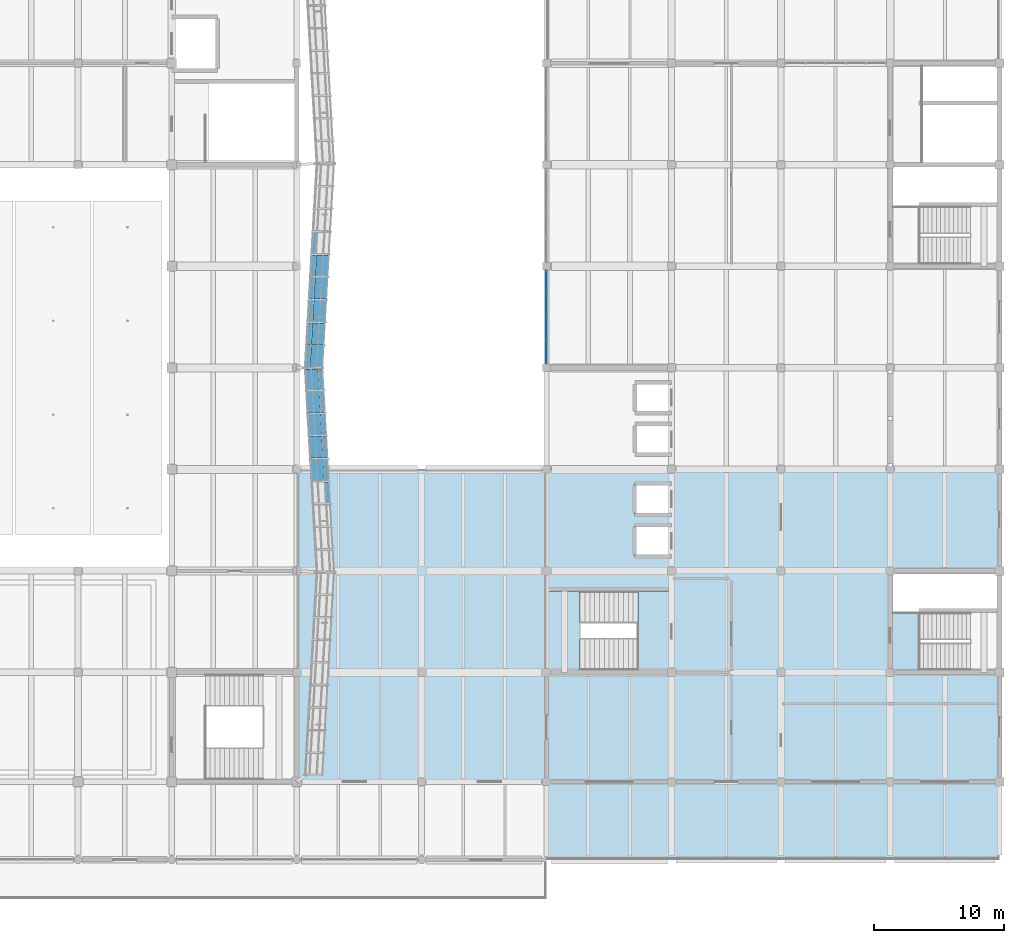
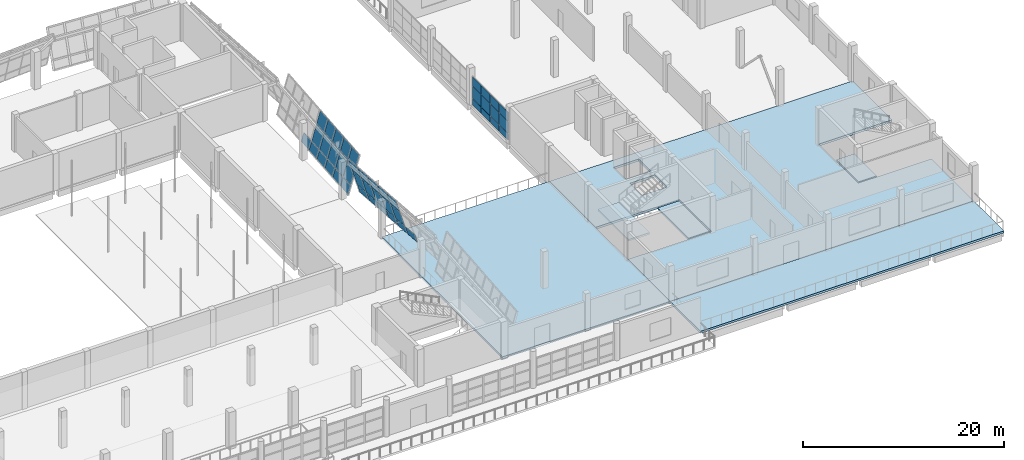
# One storey, part 42 of 71: 44 plates, 6 slabs, 5 elements without a shape of their own.
"""IFC4 building model written with IfcOpenShell, lengths in metres."""

from ifc_helpers import new_model, si_unit, direction, frame, origin, place, context, subcontext, project, spatial, polyline, outline, extrude, material, layer, layer_set, type_object, element, aggregate, save


model = new_model("IFC4")

# Units and contexts
model_context = context("Model", 3, precision=1e-05, world=origin(), true_north=direction((0.0, 1.0)))
body_context = subcontext(model_context, "Body", "Model", "MODEL_VIEW")
ifc_project = project(units=[si_unit("LENGTHUNIT", "METRE"), si_unit("AREAUNIT", "SQUARE_METRE"), si_unit("VOLUMEUNIT", "CUBIC_METRE"), si_unit("PLANEANGLEUNIT", "RADIAN"), si_unit("MASSUNIT", "GRAM", prefix="KILO")], contexts=[model_context])

# Site, building, storey
site_placement = place(None, origin())
site = spatial("IfcSite", under=ifc_project, at=site_placement, CompositionType="ELEMENT")
building_placement = place(site_placement, origin())
building = spatial("IfcBuilding", under=site, at=building_placement, Name="Pellamere Symphony Hall", CompositionType="ELEMENT")
storey_placement = place(building_placement, frame((0.0, 0.0, 15.0)))
storey = spatial("IfcBuildingStorey", under=building, at=storey_placement, Name="L03", CompositionType="ELEMENT", Elevation=15.0)

# Curtain wall, plates
ifc_material_1 = material(Name="Thermally Broken Anodised Aluminium 6063-T6 Curtain Wall", Category="aluminium")
curtain_wall_type_1 = type_object("IfcCurtainWallType", Name="Curtain Wall CW-05 (Artists Wing North Studio Ribbon Curtain Wall)", PredefinedType="NOTDEFINED", material=ifc_material_1)
curtain_wall_1_placement = place(storey_placement, origin())
curtain_wall_1 = element("IfcCurtainWall", 1, at=curtain_wall_1_placement, inside=storey, type_object=curtain_wall_type_1, Name="Sculpture Court East Wing Curtain Wall (L03 Bay 1)", PredefinedType="NOTDEFINED")
ifc_material_2 = material(Name="Triple Low-E Argon Acoustic Glazing 36mm", Category="glass")
ifc_layer_1 = layer(ifc_material_2, 0.035888671875, Name="Triple Low-E Argon Acoustic Glazing 36mm")
ifc_layer_set_1 = layer_set([ifc_layer_1], Name="Triple Low-E Argon Acoustic Glazing 36mm")
plate_type_1 = type_object("IfcPlateType", Name="Facade Panel GL-01 36mm", PredefinedType="CURTAIN_PANEL", material=ifc_layer_set_1)
plate_1_placement = place(storey_placement, frame((138.0, 62.159912109375, 0.06005859375), z_axis=(1.0, 0.0, 0.0), x_axis=(0.0, 1.0, 0.0)))
plate_1 = element("IfcPlate", 2, at=plate_1_placement, type_object=plate_type_1, Name="CW5-142 crystal glass panel 1.1", PredefinedType="CURTAIN_PANEL", context=body_context, shape_type="SweptSolid", body=[
    extrude(outline(polyline([(0.0, 0.0), (1.710205078125, 0.0), (1.710205078125, 0.754638671875), (0.0, 0.754638671875), (0.0, 0.0)])), origin(), (0.0, 0.0, -1.0), 0.035888671875),
])
plate_2_placement = place(storey_placement, frame((138.0, 62.159912109375, 0.874755859375), z_axis=(1.0, 0.0, 0.0), x_axis=(0.0, 1.0, 0.0)))
plate_2 = element("IfcPlate", 3, at=plate_2_placement, type_object=plate_type_1, Name="CW5-142 crystal glass panel 1.2", PredefinedType="CURTAIN_PANEL", context=body_context, shape_type="SweptSolid", body=[
    extrude(outline(polyline([(0.0, 0.0), (1.710205078125, 0.0), (1.710205078125, 1.41845703125), (0.0, 1.41845703125), (0.0, 0.0)])), origin(), (0.0, 0.0, -1.0), 0.035888671875),
])
plate_3_placement = place(storey_placement, frame((138.0, 62.159912109375, 2.353271484375), z_axis=(1.0, 0.0, 0.0), x_axis=(0.0, 1.0, 0.0)))
plate_3 = element("IfcPlate", 4, at=plate_3_placement, type_object=plate_type_1, Name="CW5-142 crystal glass panel 1.3", PredefinedType="CURTAIN_PANEL", context=body_context, shape_type="SweptSolid", body=[
    extrude(outline(polyline([(0.0, 0.0), (1.710205078125, 0.0), (1.710205078125, 1.106689453125), (0.0, 1.106689453125), (0.0, 0.0)])), origin(), (0.0, 0.0, -1.0), 0.035888671875),
])
plate_4_placement = place(storey_placement, frame((138.0, 63.929931640625, 0.06005859375), z_axis=(1.0, 0.0, 0.0), x_axis=(0.0, 1.0, 0.0)))
plate_4 = element("IfcPlate", 5, at=plate_4_placement, type_object=plate_type_1, Name="CW5-142 crystal glass panel 2.1", PredefinedType="CURTAIN_PANEL", context=body_context, shape_type="SweptSolid", body=[
    extrude(outline(polyline([(0.0, 0.0), (1.739990234375, 0.0), (1.739990234375, 0.754638671875), (0.0, 0.754638671875), (0.0, 0.0)])), origin(), (0.0, 0.0, -1.0), 0.035888671875),
])
plate_5_placement = place(storey_placement, frame((138.0, 63.929931640625, 0.874755859375), z_axis=(1.0, 0.0, 0.0), x_axis=(0.0, 1.0, 0.0)))
plate_5 = element("IfcPlate", 6, at=plate_5_placement, type_object=plate_type_1, Name="CW5-142 crystal glass panel 2.2", PredefinedType="CURTAIN_PANEL", context=body_context, shape_type="SweptSolid", body=[
    extrude(outline(polyline([(0.0, 0.0), (1.739990234375, 0.0), (1.739990234375, 1.41845703125), (0.0, 1.41845703125), (0.0, 0.0)])), origin(), (0.0, 0.0, -1.0), 0.035888671875),
])
plate_6_placement = place(storey_placement, frame((138.0, 63.929931640625, 2.353271484375), z_axis=(1.0, 0.0, 0.0), x_axis=(0.0, 1.0, 0.0)))
plate_6 = element("IfcPlate", 7, at=plate_6_placement, type_object=plate_type_1, Name="CW5-142 crystal glass panel 2.3", PredefinedType="CURTAIN_PANEL", context=body_context, shape_type="SweptSolid", body=[
    extrude(outline(polyline([(0.0, 0.0), (1.739990234375, 0.0), (1.739990234375, 1.106689453125), (0.0, 1.106689453125), (0.0, 0.0)])), origin(), (0.0, 0.0, -1.0), 0.035888671875),
])
plate_7_placement = place(storey_placement, frame((138.0, 65.72998046875, 0.06005859375), z_axis=(1.0, 0.0, 0.0), x_axis=(0.0, 1.0, 0.0)))
plate_7 = element("IfcPlate", 8, at=plate_7_placement, type_object=plate_type_1, Name="CW5-142 crystal glass panel 3.1", PredefinedType="CURTAIN_PANEL", context=body_context, shape_type="SweptSolid", body=[
    extrude(outline(polyline([(0.0, 0.0), (1.739990234375, 0.0), (1.739990234375, 0.754638671875), (0.0, 0.754638671875), (0.0, 0.0)])), origin(), (0.0, 0.0, -1.0), 0.035888671875),
])
plate_8_placement = place(storey_placement, frame((138.0, 65.72998046875, 0.874755859375), z_axis=(1.0, 0.0, 0.0), x_axis=(0.0, 1.0, 0.0)))
plate_8 = element("IfcPlate", 9, at=plate_8_placement, type_object=plate_type_1, Name="CW5-142 crystal glass panel 3.2", PredefinedType="CURTAIN_PANEL", context=body_context, shape_type="SweptSolid", body=[
    extrude(outline(polyline([(0.0, 0.0), (1.739990234375, 0.0), (1.739990234375, 1.41845703125), (0.0, 1.41845703125), (0.0, 0.0)])), origin(), (0.0, 0.0, -1.0), 0.035888671875),
])
plate_9_placement = place(storey_placement, frame((138.0, 65.72998046875, 2.353271484375), z_axis=(1.0, 0.0, 0.0), x_axis=(0.0, 1.0, 0.0)))
plate_9 = element("IfcPlate", 10, at=plate_9_placement, type_object=plate_type_1, Name="CW5-142 crystal glass panel 3.3", PredefinedType="CURTAIN_PANEL", context=body_context, shape_type="SweptSolid", body=[
    extrude(outline(polyline([(0.0, 0.0), (1.739990234375, 0.0), (1.739990234375, 1.106689453125), (0.0, 1.106689453125), (0.0, 0.0)])), origin(), (0.0, 0.0, -1.0), 0.035888671875),
])
plate_10_placement = place(storey_placement, frame((138.0, 67.530029296875, 0.06005859375), z_axis=(1.0, 0.0, 0.0), x_axis=(0.0, 1.0, 0.0)))
plate_10 = element("IfcPlate", 11, at=plate_10_placement, type_object=plate_type_1, Name="CW5-142 crystal glass panel 4.1", PredefinedType="CURTAIN_PANEL", context=body_context, shape_type="SweptSolid", body=[
    extrude(outline(polyline([(0.0, 0.0), (1.7099609375, 0.0), (1.7099609375, 0.754638671875), (0.0, 0.754638671875), (0.0, 0.0)])), origin(), (0.0, 0.0, -1.0), 0.035888671875),
])
plate_11_placement = place(storey_placement, frame((138.0, 67.530029296875, 0.874755859375), z_axis=(1.0, 0.0, 0.0), x_axis=(0.0, 1.0, 0.0)))
plate_11 = element("IfcPlate", 12, at=plate_11_placement, type_object=plate_type_1, Name="CW5-142 crystal glass panel 4.2", PredefinedType="CURTAIN_PANEL", context=body_context, shape_type="SweptSolid", body=[
    extrude(outline(polyline([(0.0, 0.0), (1.7099609375, 0.0), (1.7099609375, 1.41845703125), (0.0, 1.41845703125), (0.0, 0.0)])), origin(), (0.0, 0.0, -1.0), 0.035888671875),
])
plate_12_placement = place(storey_placement, frame((138.0, 67.530029296875, 2.353271484375), z_axis=(1.0, 0.0, 0.0), x_axis=(0.0, 1.0, 0.0)))
plate_12 = element("IfcPlate", 13, at=plate_12_placement, type_object=plate_type_1, Name="CW5-142 crystal glass panel 4.3", PredefinedType="CURTAIN_PANEL", context=body_context, shape_type="SweptSolid", body=[
    extrude(outline(polyline([(0.0, 0.0), (1.7099609375, 0.0), (1.7099609375, 1.106689453125), (0.0, 1.106689453125), (0.0, 0.0)])), origin(), (0.0, 0.0, -1.0), 0.035888671875),
])
aggregate(curtain_wall_1, [plate_1, plate_2, plate_3, plate_4, plate_5, plate_6, plate_7, plate_8, plate_9, plate_10, plate_11, plate_12])

curtain_wall_type_2 = type_object("IfcCurtainWallType", Name="Curtain Wall CW-01 (Tilted Faceted Crystal Low-Iron Curtain Wall)", PredefinedType="NOTDEFINED", material=ifc_material_1)
curtain_wall_2_placement = place(storey_placement, origin())
curtain_wall_2 = element("IfcCurtainWall", 14, at=curtain_wall_2_placement, inside=storey, type_object=curtain_wall_type_2, Name="Crystal Faceted Curtain Wall CW-CR07 (L03)", PredefinedType="NOTDEFINED")
ifc_material_3 = material(Name="Triple Laminated Acoustic Crystal Glazing 42mm", Category="glass")
ifc_layer_2 = layer(ifc_material_3, 0.0419921875, Name="Triple Laminated Acoustic Crystal Glazing 42mm")
ifc_layer_set_2 = layer_set([ifc_layer_2], Name="Triple Laminated Acoustic Crystal Glazing 42mm")
plate_type_2 = type_object("IfcPlateType", Name="Facade Panel GL-02 42mm", PredefinedType="CURTAIN_PANEL", material=ifc_layer_set_2)
plate_13_placement = place(storey_placement, frame((121.359619140625, 51.370849609375, 0.072021484375), z_axis=(0.957324034181, 0.054880231266, 0.283758442686), x_axis=(-0.057232737422, 0.998360863499, 0.0)))
plate_13 = element("IfcPlate", 15, at=plate_13_placement, type_object=plate_type_2, Name="CW1-010 crystal glass panel 4.1", PredefinedType="CURTAIN_PANEL", context=body_context, shape_type="SweptSolid", body=[
    extrude(outline(polyline([(0.0, 0.0), (1.6721745160346768, -6.938893903907228e-18), (1.6886624628505897, 1.013586494914077), (0.01648794681591293, 1.013586494914077), (0.0, 0.0)])), origin(), (0.0, 0.0, -1.0), 0.0419921875),
])
plate_14_placement = place(storey_placement, frame((121.259521484375, 53.115234375, 0.072021484375), z_axis=(0.957389337449, 0.054883974887, 0.283537309433), x_axis=(-0.057232737422, 0.998360863499, 0.0)))
plate_14 = element("IfcPlate", 16, at=plate_14_placement, type_object=plate_type_2, Name="CW1-010 crystal glass panel 5.1", PredefinedType="CURTAIN_PANEL", context=body_context, shape_type="SweptSolid", body=[
    extrude(outline(polyline([(0.0, 0.0), (1.6721745160346768, 3.469446951953614e-18), (1.688648490014305, 1.01351735845357), (0.016473973979628256, 1.01351735845357), (0.0, 0.0)])), origin(), (0.0, 0.0, -1.0), 0.0419921875),
])
plate_15_placement = place(storey_placement, frame((120.9501953125, 53.115234375, 1.115966796875), z_axis=(0.957371163384, 0.054882933028, 0.283598870206), x_axis=(-0.057232737422, 0.998360863499, 0.0)))
plate_15 = element("IfcPlate", 17, at=plate_15_placement, type_object=plate_type_2, Name="CW1-010 crystal glass panel 5.2", PredefinedType="CURTAIN_PANEL", context=body_context, shape_type="SweptSolid", body=[
    extrude(outline(polyline([(0.0, 0.0), (1.6721745160346768, 3.469446951953614e-18), (1.7029985928786633, 1.8959575604045968), (0.030824076843986373, 1.895957560404597), (0.0, 0.0)])), origin(), (0.0, 0.0, -1.0), 0.0419921875),
])
plate_16_placement = place(storey_placement, frame((120.390380859375, 53.115234375, 3.005859375), z_axis=(0.957394380588, 0.054884263994, 0.283520224294), x_axis=(-0.057232737422, 0.998360863499, 0.0)))
plate_16 = element("IfcPlate", 18, at=plate_16_placement, type_object=plate_type_2, Name="CW1-010 crystal glass panel 5.3", PredefinedType="CURTAIN_PANEL", context=body_context, shape_type="SweptSolid", body=[
    extrude(outline(polyline([(0.0, 0.0), (1.6721745160346768, 3.469446951953614e-18), (1.696277658625736, 1.482970990869004), (0.02410314259105915, 1.482970990869004), (0.0, 0.0)])), origin(), (0.0, 0.0, -1.0), 0.0419921875),
])
plate_17_placement = place(storey_placement, frame((121.15966796875, 54.859619140625, 0.072021484375), z_axis=(0.957324455748, 0.054872230831, 0.283758567642), x_axis=(-0.057224396245, 0.998361341637, 0.0)))
plate_17 = element("IfcPlate", 19, at=plate_17_placement, type_object=plate_type_2, Name="CW1-010 crystal glass panel 6.1", PredefinedType="CURTAIN_PANEL", context=body_context, shape_type="SweptSolid", body=[
    extrude(outline(polyline([(0.0, 0.0), (1.6724182565382377, 0.0), (1.6889038003784336, 1.0135865340002803), (0.016485543840195648, 1.0135865340002805), (0.0, 0.0)])), origin(), (0.0, 0.0, -1.0), 0.0419921875),
])
plate_18_placement = place(storey_placement, frame((120.850341796875, 54.859619140625, 1.115966796875), z_axis=(0.957371585014, 0.054874932201, 0.283598995104), x_axis=(-0.057224396245, 0.998361341637, 0.0)))
plate_18 = element("IfcPlate", 20, at=plate_18_placement, type_object=plate_type_2, Name="CW1-010 crystal glass panel 6.2", PredefinedType="CURTAIN_PANEL", context=body_context, shape_type="SweptSolid", body=[
    extrude(outline(polyline([(0.0, 0.0), (1.6724182565382377, 3.469446951953614e-18), (1.703237841039485, 1.895957633434831), (0.030819584501247117, 1.895957633434831), (0.0, 0.0)])), origin(), (0.0, 0.0, -1.0), 0.0419921875),
])
plate_19_placement = place(storey_placement, frame((120.29052734375, 54.859619140625, 3.005859375), z_axis=(0.957350178511, 0.054873705217, 0.283671486371), x_axis=(-0.057224396245, 0.998361341637, 0.0)))
plate_19 = element("IfcPlate", 21, at=plate_19_placement, type_object=plate_type_2, Name="CW1-010 crystal glass panel 6.3", PredefinedType="CURTAIN_PANEL", context=body_context, shape_type="SweptSolid", body=[
    extrude(outline(polyline([(0.0, 0.0), (1.6724182565382377, 3.469446951953614e-18), (1.69653185710449, 1.48304017178855), (0.024113600566252277, 1.48304017178855), (0.0, 0.0)])), origin(), (0.0, 0.0, -1.0), 0.0419921875),
])
plate_20_placement = place(storey_placement, frame((121.0595703125, 56.60400390625, 0.072021484375), z_axis=(0.957324455748, 0.054872230831, 0.283758567642), x_axis=(-0.057224396245, 0.998361341637, 0.0)))
plate_20 = element("IfcPlate", 22, at=plate_20_placement, type_object=plate_type_2, Name="CW1-010 crystal glass panel 7.1", PredefinedType="CURTAIN_PANEL", context=body_context, shape_type="SweptSolid", body=[
    extrude(outline(polyline([(0.0, 0.0), (1.6724182565382377, 0.0), (1.6889038003784336, 1.0135865340002803), (0.016485543840195648, 1.0135865340002805), (0.0, 0.0)])), origin(), (0.0, 0.0, -1.0), 0.0419921875),
])
plate_21_placement = place(storey_placement, frame((120.750244140625, 56.60400390625, 1.115966796875), z_axis=(0.957371585014, 0.054874932201, 0.283598995104), x_axis=(-0.057224396245, 0.998361341637, 0.0)))
plate_21 = element("IfcPlate", 23, at=plate_21_placement, type_object=plate_type_2, Name="CW1-010 crystal glass panel 7.2", PredefinedType="CURTAIN_PANEL", context=body_context, shape_type="SweptSolid", body=[
    extrude(outline(polyline([(0.0, 0.0), (1.6724182565382377, 3.469446951953614e-18), (1.703237841039485, 1.895957633434831), (0.030819584501247117, 1.895957633434831), (0.0, 0.0)])), origin(), (0.0, 0.0, -1.0), 0.0419921875),
])
plate_22_placement = place(storey_placement, frame((120.1904296875, 56.60400390625, 3.005859375), z_axis=(0.957350178511, 0.054873705217, 0.283671486371), x_axis=(-0.057224396245, 0.998361341637, 0.0)))
plate_22 = element("IfcPlate", 24, at=plate_22_placement, type_object=plate_type_2, Name="CW1-010 crystal glass panel 7.3", PredefinedType="CURTAIN_PANEL", context=body_context, shape_type="SweptSolid", body=[
    extrude(outline(polyline([(0.0, 0.0), (1.6724182565382377, 3.469446951953614e-18), (1.69653185710449, 1.48304017178855), (0.024113600566252277, 1.48304017178855), (0.0, 0.0)])), origin(), (0.0, 0.0, -1.0), 0.0419921875),
])
plate_23_placement = place(storey_placement, frame((120.95947265625, 58.3486328125, 0.072021484375), z_axis=(0.957389337449, 0.054883974887, 0.283537309433), x_axis=(-0.057232737422, 0.998360863499, 0.0)))
plate_23 = element("IfcPlate", 25, at=plate_23_placement, type_object=plate_type_2, Name="CW1-010 crystal glass panel 8.1", PredefinedType="CURTAIN_PANEL", context=body_context, shape_type="SweptSolid", body=[
    extrude(outline(polyline([(0.0, 0.0), (1.6721745160346768, 3.469446951953614e-18), (1.688648490014305, 1.01351735845357), (0.016473973979628256, 1.01351735845357), (0.0, 0.0)])), origin(), (0.0, 0.0, -1.0), 0.0419921875),
])
plate_24_placement = place(storey_placement, frame((120.650390625, 58.3486328125, 1.115966796875), z_axis=(0.957371163384, 0.054882933028, 0.283598870206), x_axis=(-0.057232737422, 0.998360863499, 0.0)))
plate_24 = element("IfcPlate", 26, at=plate_24_placement, type_object=plate_type_2, Name="CW1-010 crystal glass panel 8.2", PredefinedType="CURTAIN_PANEL", context=body_context, shape_type="SweptSolid", body=[
    extrude(outline(polyline([(0.0, 0.0), (1.6721745160346768, 3.469446951953614e-18), (1.7029985928786633, 1.8959575604045968), (0.030824076843986373, 1.895957560404597), (0.0, 0.0)])), origin(), (0.0, 0.0, -1.0), 0.0419921875),
])
plate_25_placement = place(storey_placement, frame((120.09033203125, 58.3486328125, 3.005859375), z_axis=(0.957394380588, 0.054884263994, 0.283520224294), x_axis=(-0.057232737422, 0.998360863499, 0.0)))
plate_25 = element("IfcPlate", 27, at=plate_25_placement, type_object=plate_type_2, Name="CW1-010 crystal glass panel 8.3", PredefinedType="CURTAIN_PANEL", context=body_context, shape_type="SweptSolid", body=[
    extrude(outline(polyline([(0.0, 0.0), (1.6721745160346768, 3.469446951953614e-18), (1.696277658625736, 1.482970990869004), (0.02410314259105915, 1.482970990869004), (0.0, 0.0)])), origin(), (0.0, 0.0, -1.0), 0.0419921875),
])
plate_26_placement = place(storey_placement, frame((120.859619140625, 60.093017578125, 0.072021484375), z_axis=(0.957354651322, 0.054920794133, 0.283647277376), x_axis=(-0.057279062662, 0.998358206542, 2.0277049e-05)))
plate_26 = element("IfcPlate", 28, at=plate_26_placement, type_object=plate_type_2, Name="CW1-010 crystal glass panel 9.1", PredefinedType="CURTAIN_PANEL", context=body_context, shape_type="SweptSolid", body=[
    extrude(outline(polyline([(0.0, 0.0), (1.6347704518540747, 0.0), (1.6512774679209214, 1.0135168141025692), (0.016521000213004483, 1.0135859499603574), (0.0, 0.0)])), origin(), (0.0, 0.0, -1.0), 0.0419921875),
])
plate_27_placement = place(storey_placement, frame((120.55029296875, 60.093017578125, 1.115966796875), z_axis=(0.957372886168, 0.054850234166, 0.283599380541), x_axis=(-0.057198647566, 0.998362817175, 0.0)))
plate_27 = element("IfcPlate", 29, at=plate_27_placement, type_object=plate_type_2, Name="CW1-010 crystal glass panel 9.2", PredefinedType="CURTAIN_PANEL", context=body_context, shape_type="SweptSolid", body=[
    extrude(outline(polyline([(0.0, 0.0), (1.6347564733470132, 0.0), (1.665562190273358, 1.8959578588073336), (0.03080571692634491, 1.8959578588073336), (0.0, 0.0)])), origin(), (0.0, 0.0, -1.0), 0.0419921875),
])
plate_28_placement = place(storey_placement, frame((119.990478515625, 60.093017578125, 3.005859375), z_axis=(0.957351479578, 0.05484900773, 0.283671871889), x_axis=(-0.057198647566, 0.998362817175, 0.0)))
plate_28 = element("IfcPlate", 30, at=plate_28_placement, type_object=plate_type_2, Name="CW1-010 crystal glass panel 9.3", PredefinedType="CURTAIN_PANEL", context=body_context, shape_type="SweptSolid", body=[
    extrude(outline(polyline([(0.0, 0.0), (1.6347564733470132, -3.469446951953614e-18), (1.6588592237617328, 1.4830403481676844), (0.024102750414719543, 1.4830403481676844), (0.0, 0.0)])), origin(), (0.0, 0.0, -1.0), 0.0419921875),
])
aggregate(curtain_wall_2, [plate_13, plate_14, plate_15, plate_16, plate_17, plate_18, plate_19, plate_20, plate_21, plate_22, plate_23, plate_24, plate_25, plate_26, plate_27, plate_28])

curtain_wall_3_placement = place(storey_placement, origin())
curtain_wall_3 = element("IfcCurtainWall", 31, at=curtain_wall_3_placement, inside=storey, type_object=curtain_wall_type_2, Name="Crystal Faceted Curtain Wall CW-CR08 (L03)", PredefinedType="NOTDEFINED")
ifc_material_4 = material(Name="Vacuum-Insulated Bronze-Anodised Aluminium Spandrel Panel", Category="aluminium")
ifc_layer_3 = layer(ifc_material_4, 0.06494140625, Name="Vacuum-Insulated Bronze-Anodised Aluminium Spandrel Panel")
ifc_layer_set_3 = layer_set([ifc_layer_3], Name="Vacuum-Insulated Bronze-Anodised Aluminium Spandrel Panel")
plate_type_3 = type_object("IfcPlateType", Name="Facade Panel SP-01 65mm", PredefinedType="CURTAIN_PANEL", material=ifc_layer_set_3)
plate_29_placement = place(storey_placement, frame((119.4755859375, 61.874755859375, 0.072021484375), z_axis=(-0.95732618741, 0.054839355336, 0.28375908092), x_axis=(0.057190120561, 0.998363305671, 0.0)))
plate_29 = element("IfcPlate", 32, at=plate_29_placement, type_object=plate_type_3, Name="CW1-015 crystal glass panel 1.1", PredefinedType="CURTAIN_PANEL", context=body_context, shape_type="SweptSolid", body=[
    extrude(outline(polyline([(0.0, 0.0), (1.6350002143288105, 3.469446951953614e-18), (1.6514758838264125, -1.0135866945540546), (0.01647566949760208, -1.0135866945540546), (0.0, 0.0)])), origin(), (0.0, 0.0, -1.0), 0.06494140625),
])
plate_30_placement = place(storey_placement, frame((119.784912109375, 61.874755859375, 1.115966796875), z_axis=(-0.957373316932, 0.054842055098, 0.283599508144), x_axis=(0.057190120561, 0.998363305671, 0.0)))
plate_30 = element("IfcPlate", 33, at=plate_30_placement, type_object=plate_type_3, Name="CW1-015 crystal glass panel 1.2", PredefinedType="CURTAIN_PANEL", context=body_context, shape_type="SweptSolid", body=[
    extrude(outline(polyline([(0.0, 0.0), (1.6350002143288105, 3.469446951953614e-18), (1.6658013388302597, -1.8959579334199588), (0.030801124501449315, -1.8959579334199588), (0.0, 0.0)])), origin(), (0.0, 0.0, -1.0), 0.06494140625),
])
plate_31_placement = place(storey_placement, frame((120.3447265625, 61.874755859375, 3.005859375), z_axis=(-0.957370463247, 0.054913486787, 0.283595319199), x_axis=(0.057258551614, 0.998359383116, -2.027082e-05)))
plate_31 = element("IfcPlate", 34, at=plate_31_placement, type_object=plate_type_3, Name="CW1-015 crystal glass panel 1.3", PredefinedType="CURTAIN_PANEL", context=body_context, shape_type="SweptSolid", body=[
    extrude(outline(polyline([(0.0, 0.0), (1.635000210152119, 3.469446951953614e-18), (1.6590993758152512, -1.4830404018189927), (0.024085186524554544, -1.4829712780003717), (0.0, 0.0)])), origin(), (0.0, 0.0, -1.0), 0.06494140625),
])
plate_32_placement = place(storey_placement, frame((119.573486328125, 63.581787109375, 0.072021484375), z_axis=(-0.957389759102, 0.05487597391, 0.283537434308), x_axis=(0.057224396245, 0.998361341637, 0.0)))
plate_32 = element("IfcPlate", 35, at=plate_32_placement, type_object=plate_type_3, Name="CW1-015 crystal glass panel 2.1", PredefinedType="CURTAIN_PANEL", context=body_context, shape_type="SweptSolid", body=[
    extrude(outline(polyline([(0.0, 0.0), (1.6724182565382377, 0.0), (1.6888898295785688, -1.0135173974762153), (0.016471573040331075, -1.0135173974762153), (0.0, 0.0)])), origin(), (0.0, 0.0, -1.0), 0.06494140625),
])
plate_33_placement = place(storey_placement, frame((119.8828125, 63.581787109375, 1.115966796875), z_axis=(-0.957371585014, 0.054874932201, 0.283598995104), x_axis=(0.057224396245, 0.998361341637, 0.0)))
plate_33 = element("IfcPlate", 36, at=plate_33_placement, type_object=plate_type_3, Name="CW1-015 crystal glass panel 2.2", PredefinedType="CURTAIN_PANEL", context=body_context, shape_type="SweptSolid", body=[
    extrude(outline(polyline([(0.0, 0.0), (1.6724182565382377, -3.469446951953614e-18), (1.703237841039485, -1.895957633434831), (0.030819584501247117, -1.895957633434831), (0.0, 0.0)])), origin(), (0.0, 0.0, -1.0), 0.06494140625),
])
plate_34_placement = place(storey_placement, frame((120.442626953125, 63.581787109375, 3.005859375), z_axis=(-0.957394802248, 0.054876262974, 0.283520349164), x_axis=(0.057224396245, 0.998361341637, 0.0)))
plate_34 = element("IfcPlate", 37, at=plate_34_placement, type_object=plate_type_3, Name="CW1-015 crystal glass panel 2.3", PredefinedType="CURTAIN_PANEL", context=body_context, shape_type="SweptSolid", body=[
    extrude(outline(polyline([(0.0, 0.0), (1.6724182565382377, 3.469446951953614e-18), (1.6965178863046255, -1.482971047959765), (0.024099629766387704, -1.482971047959765), (0.0, 0.0)])), origin(), (0.0, 0.0, -1.0), 0.06494140625),
])
plate_35_placement = place(storey_placement, frame((119.67333984375, 65.326416015625, 0.072021484375), z_axis=(-0.957324034181, 0.054880231266, 0.283758442686), x_axis=(0.057232737422, 0.998360863499, 0.0)))
plate_35 = element("IfcPlate", 38, at=plate_35_placement, type_object=plate_type_3, Name="CW1-015 crystal glass panel 3.1", PredefinedType="CURTAIN_PANEL", context=body_context, shape_type="SweptSolid", body=[
    extrude(outline(polyline([(0.0, 0.0), (1.6721745160346768, 6.938893903907228e-18), (1.6886624628505897, -1.013586494914077), (0.01648794681591293, -1.013586494914077), (0.0, 0.0)])), origin(), (0.0, 0.0, -1.0), 0.06494140625),
])
plate_36_placement = place(storey_placement, frame((119.982666015625, 65.326416015625, 1.115966796875), z_axis=(-0.957371163384, 0.054882933028, 0.283598870206), x_axis=(0.057232737422, 0.998360863499, 0.0)))
plate_36 = element("IfcPlate", 39, at=plate_36_placement, type_object=plate_type_3, Name="CW1-015 crystal glass panel 3.2", PredefinedType="CURTAIN_PANEL", context=body_context, shape_type="SweptSolid", body=[
    extrude(outline(polyline([(0.0, 0.0), (1.6721745160346768, -3.469446951953614e-18), (1.7029985928786633, -1.8959575604045968), (0.030824076843986373, -1.895957560404597), (0.0, 0.0)])), origin(), (0.0, 0.0, -1.0), 0.06494140625),
])
plate_37_placement = place(storey_placement, frame((120.54248046875, 65.326416015625, 3.005859375), z_axis=(-0.95734975691, 0.054881705866, 0.283671361447), x_axis=(0.057232737422, 0.998360863499, 0.0)))
plate_37 = element("IfcPlate", 40, at=plate_37_placement, type_object=plate_type_3, Name="CW1-015 crystal glass panel 3.3", PredefinedType="CURTAIN_PANEL", context=body_context, shape_type="SweptSolid", body=[
    extrude(outline(polyline([(0.0, 0.0), (1.6721745160346768, 3.469446951953614e-18), (1.6962916314620207, -1.4830401146342416), (0.024117115427343825, -1.4830401146342416), (0.0, 0.0)])), origin(), (0.0, 0.0, -1.0), 0.06494140625),
])
plate_38_placement = place(storey_placement, frame((119.7734375, 67.07080078125, 0.072021484375), z_axis=(-0.957324034181, 0.054880231266, 0.283758442686), x_axis=(0.057232737422, 0.998360863499, 0.0)))
plate_38 = element("IfcPlate", 41, at=plate_38_placement, type_object=plate_type_3, Name="CW1-015 crystal glass panel 4.1", PredefinedType="CURTAIN_PANEL", context=body_context, shape_type="SweptSolid", body=[
    extrude(outline(polyline([(0.0, 0.0), (1.6721745160346768, 6.938893903907228e-18), (1.6886624628505897, -1.013586494914077), (0.01648794681591293, -1.013586494914077), (0.0, 0.0)])), origin(), (0.0, 0.0, -1.0), 0.06494140625),
])
plate_39_placement = place(storey_placement, frame((120.082763671875, 67.07080078125, 1.115966796875), z_axis=(-0.957371163384, 0.054882933028, 0.283598870206), x_axis=(0.057232737422, 0.998360863499, 0.0)))
plate_39 = element("IfcPlate", 42, at=plate_39_placement, type_object=plate_type_3, Name="CW1-015 crystal glass panel 4.2", PredefinedType="CURTAIN_PANEL", context=body_context, shape_type="SweptSolid", body=[
    extrude(outline(polyline([(0.0, 0.0), (1.6721745160346768, -3.469446951953614e-18), (1.7029985928786633, -1.8959575604045968), (0.030824076843986373, -1.895957560404597), (0.0, 0.0)])), origin(), (0.0, 0.0, -1.0), 0.06494140625),
])
plate_40_placement = place(storey_placement, frame((120.642578125, 67.07080078125, 3.005859375), z_axis=(-0.95734975691, 0.054881705866, 0.283671361447), x_axis=(0.057232737422, 0.998360863499, 0.0)))
plate_40 = element("IfcPlate", 43, at=plate_40_placement, type_object=plate_type_3, Name="CW1-015 crystal glass panel 4.3", PredefinedType="CURTAIN_PANEL", context=body_context, shape_type="SweptSolid", body=[
    extrude(outline(polyline([(0.0, 0.0), (1.6721745160346768, 3.469446951953614e-18), (1.6962916314620207, -1.4830401146342416), (0.024117115427343825, -1.4830401146342416), (0.0, 0.0)])), origin(), (0.0, 0.0, -1.0), 0.06494140625),
])
plate_41_placement = place(storey_placement, frame((119.87353515625, 68.815185546875, 0.072021484375), z_axis=(-0.957389759102, 0.05487597391, 0.283537434308), x_axis=(0.057224396245, 0.998361341637, 0.0)))
plate_41 = element("IfcPlate", 44, at=plate_41_placement, type_object=plate_type_3, Name="CW1-015 crystal glass panel 5.1", PredefinedType="CURTAIN_PANEL", context=body_context, shape_type="SweptSolid", body=[
    extrude(outline(polyline([(0.0, 0.0), (1.6724182565382377, 0.0), (1.6888898295785688, -1.0135173974762153), (0.016471573040331075, -1.0135173974762153), (0.0, 0.0)])), origin(), (0.0, 0.0, -1.0), 0.06494140625),
])
plate_42_placement = place(storey_placement, frame((120.1826171875, 68.815185546875, 1.115966796875), z_axis=(-0.957371585014, 0.054874932201, 0.283598995104), x_axis=(0.057224396245, 0.998361341637, 0.0)))
plate_42 = element("IfcPlate", 45, at=plate_42_placement, type_object=plate_type_3, Name="CW1-015 crystal glass panel 5.2", PredefinedType="CURTAIN_PANEL", context=body_context, shape_type="SweptSolid", body=[
    extrude(outline(polyline([(0.0, 0.0), (1.6724182565382377, -3.469446951953614e-18), (1.703237841039485, -1.895957633434831), (0.030819584501247117, -1.895957633434831), (0.0, 0.0)])), origin(), (0.0, 0.0, -1.0), 0.06494140625),
])
plate_43_placement = place(storey_placement, frame((120.74267578125, 68.815185546875, 3.005859375), z_axis=(-0.957394802248, 0.054876262974, 0.283520349164), x_axis=(0.057224396245, 0.998361341637, 0.0)))
plate_43 = element("IfcPlate", 46, at=plate_43_placement, type_object=plate_type_3, Name="CW1-015 crystal glass panel 5.3", PredefinedType="CURTAIN_PANEL", context=body_context, shape_type="SweptSolid", body=[
    extrude(outline(polyline([(0.0, 0.0), (1.6724182565382377, 3.469446951953614e-18), (1.6965178863046255, -1.482971047959765), (0.024099629766387704, -1.482971047959765), (0.0, 0.0)])), origin(), (0.0, 0.0, -1.0), 0.06494140625),
])
plate_44_placement = place(storey_placement, frame((119.973388671875, 70.5595703125, 0.072021484375), z_axis=(-0.957324455748, 0.054872230831, 0.283758567642), x_axis=(0.057224396245, 0.998361341637, 0.0)))
plate_44 = element("IfcPlate", 47, at=plate_44_placement, type_object=plate_type_3, Name="CW1-015 crystal glass panel 6.1", PredefinedType="CURTAIN_PANEL", context=body_context, shape_type="SweptSolid", body=[
    extrude(outline(polyline([(0.0, 0.0), (1.6724182565382377, 0.0), (1.6889038003784336, -1.0135865340002803), (0.016485543840195648, -1.0135865340002805), (0.0, 0.0)])), origin(), (0.0, 0.0, -1.0), 0.06494140625),
])
aggregate(curtain_wall_3, [plate_29, plate_30, plate_31, plate_32, plate_33, plate_34, plate_35, plate_36, plate_37, plate_38, plate_39, plate_40, plate_41, plate_42, plate_43, plate_44])

# Stair, slabs
ifc_material_5 = material(Name="Concrete 40 MPa", Category="concrete")
stair_type_1 = type_object("IfcStairType", Name="Stair ST-A W2400", PredefinedType="HALF_TURN_STAIR", material=ifc_material_5)
stair_1_placement = place(storey_placement, origin())
stair_1 = element("IfcStair", 48, at=stair_1_placement, inside=storey, type_object=stair_type_1, Name="Exit Stair ST02-L03 (L03 to L04)", PredefinedType="HALF_TURN_STAIR")
ifc_layer_4 = layer(ifc_material_5, 0.219970703125, Name="Concrete 40 MPa")
ifc_layer_set_4 = layer_set([ifc_layer_4], Name="Concrete 40 MPa")
slab_type_1 = type_object("IfcSlabType", Name="Stair Landing SL-01 220mm", PredefinedType="LANDING", material=ifc_layer_set_4)
slab_1_placement = place(storey_placement, frame((0.0, 0.0, -0.219970703125)))
slab_1 = element("IfcSlab", 49, at=slab_1_placement, type_object=slab_type_1, Name="Stair ST02-L03 Bottom Landing (L03)", PredefinedType="LANDING", context=body_context, shape_type="SweptSolid", body=[
    extrude(outline(polyline([(145.02490234375, 38.56005859375), (147.43994140625, 38.56005859375), (147.43994140625, 44.639892578125), (145.02490234375, 44.639892578125), (145.02490234375, 38.56005859375)])), origin(), (0.0, 0.0, 1.0), 0.219970703125),
])
slab_2_placement = place(storey_placement, frame((0.0, 0.0, 2.030029296875)))
slab_2 = element("IfcSlab", 50, at=slab_2_placement, type_object=slab_type_1, Name="Stair ST02-L03 Half Landing (L03)", PredefinedType="LANDING", context=body_context, shape_type="SweptSolid", body=[
    extrude(outline(polyline([(138.159912109375, 38.56005859375), (140.574951171875, 38.56005859375), (140.574951171875, 44.639892578125), (138.159912109375, 44.639892578125), (138.159912109375, 38.56005859375)])), origin(), (0.0, 0.0, 1.0), 0.219970703125),
])
aggregate(stair_1, [slab_1, slab_2])

# Stair, slab
stair_type_2 = type_object("IfcStairType", Name="Stair ST-B W2050", PredefinedType="HALF_TURN_STAIR", material=ifc_material_5)
stair_2_placement = place(storey_placement, origin())
stair_2 = element("IfcStair", 51, at=stair_2_placement, inside=storey, type_object=stair_type_2, Name="Exit Stair ST06-L03 (L03 to L04)", PredefinedType="HALF_TURN_STAIR")
slab_3_placement = place(storey_placement, frame((0.0, 0.0, -0.219970703125)))
slab_3 = element("IfcSlab", 52, at=slab_3_placement, type_object=slab_type_1, Name="Stair ST06-L03 Bottom Landing (L03)", PredefinedType="LANDING", context=body_context, shape_type="SweptSolid", body=[
    extrude(outline(polyline([(164.56005859375, 38.56005859375), (166.625, 38.56005859375), (166.625, 43.0), (164.56005859375, 43.0), (164.56005859375, 38.56005859375)])), origin(), (0.0, 0.0, 1.0), 0.219970703125),
])
aggregate(stair_2, [slab_3])

# Slabs
ifc_layer_5 = layer(ifc_material_5, 0.260009765625, Name="Concrete 40 MPa")
ifc_layer_set_5 = layer_set([ifc_layer_5], Name="Concrete 40 MPa")
slab_type_2 = type_object("IfcSlabType", Name="Structural Slab FS-04 260mm", PredefinedType="FLOOR", material=ifc_layer_set_5)
slab_4_placement = place(storey_placement, frame((0.0, 0.0, -0.260009765625)))
element("IfcSlab", 53, at=slab_4_placement, inside=storey, type_object=slab_type_2, Name="Floor Slab L03-V5A-1", PredefinedType="FLOOR", context=body_context, shape_type="SweptSolid", body=[
    extrude(outline(polyline([(172.800048828125, 30.0), (138.0, 30.0), (138.0, 38.39990234375), (147.60009765625, 38.39990234375), (147.60009765625, 44.800048828125), (138.0, 44.800048828125), (138.0, 54.0), (172.800048828125, 54.0), (172.800048828125, 46.199951171875), (164.39990234375, 46.199951171875), (164.39990234375, 38.39990234375), (172.800048828125, 38.39990234375), (172.800048828125, 30.0)]), holes=[polyline([(147.60009765625, 49.699951171875), (144.75, 49.699951171875), (144.75, 47.300048828125), (147.60009765625, 47.300048828125), (147.60009765625, 49.699951171875)]), polyline([(147.60009765625, 52.89990234375), (144.75, 52.89990234375), (144.75, 50.5), (147.60009765625, 50.5), (147.60009765625, 52.89990234375)])]), origin(), (0.0, 0.0, 1.0), 0.260009765625),
])
ifc_layer_6 = layer(ifc_material_5, 0.25, Name="Concrete 40 MPa")
ifc_layer_set_6 = layer_set([ifc_layer_6], Name="Concrete 40 MPa")
slab_type_3 = type_object("IfcSlabType", Name="Structural Slab TS-02 250mm", PredefinedType="ROOF", material=ifc_layer_set_6)
slab_5_placement = place(storey_placement, frame((0.0, 0.0, -0.25)))
element("IfcSlab", 54, at=slab_5_placement, inside=storey, type_object=slab_type_3, Name="Sculpture Court Belvedere Terrace 1", PredefinedType="ROOF", context=body_context, shape_type="SweptSolid", body=[
    extrude(outline(polyline([(138.0, 30.0), (118.800048828125, 30.0), (118.800048828125, 38.39990234375), (118.800048828125, 54.0), (138.0, 54.0), (138.0, 44.800048828125), (138.0, 38.39990234375), (138.0, 30.0)])), origin(), (0.0, 0.0, 1.0), 0.25),
])
slab_6_placement = place(storey_placement, frame((0.0, 0.0, -0.25)))
element("IfcSlab", 55, at=slab_6_placement, inside=storey, type_object=slab_type_3, Name="Ensemble Wing South Terrace 1", PredefinedType="ROOF", context=body_context, shape_type="SweptSolid", body=[
    extrude(outline(polyline([(138.0, 24.0), (138.0, 30.0), (172.800048828125, 30.0), (172.800048828125, 24.0), (138.0, 24.0)])), origin(), (0.0, 0.0, 1.0), 0.25),
])

save(model, "model.ifc")
